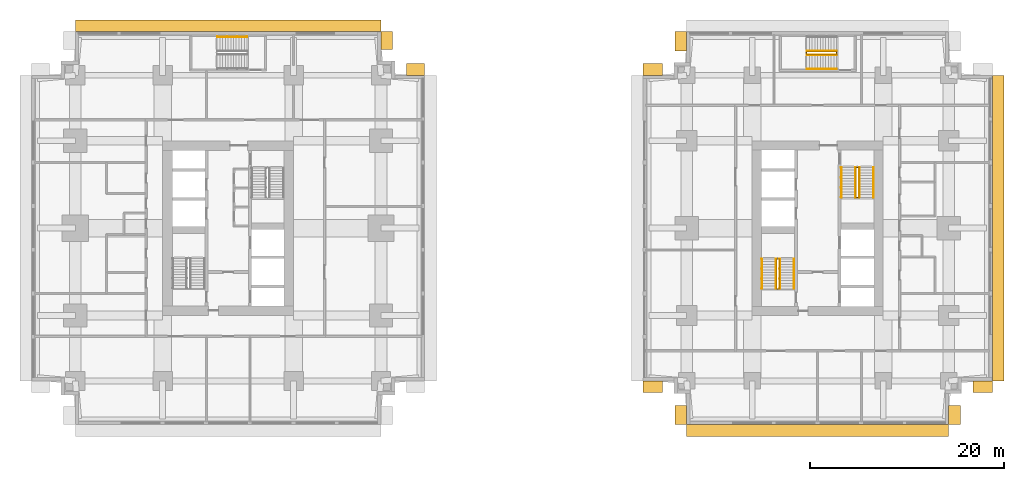
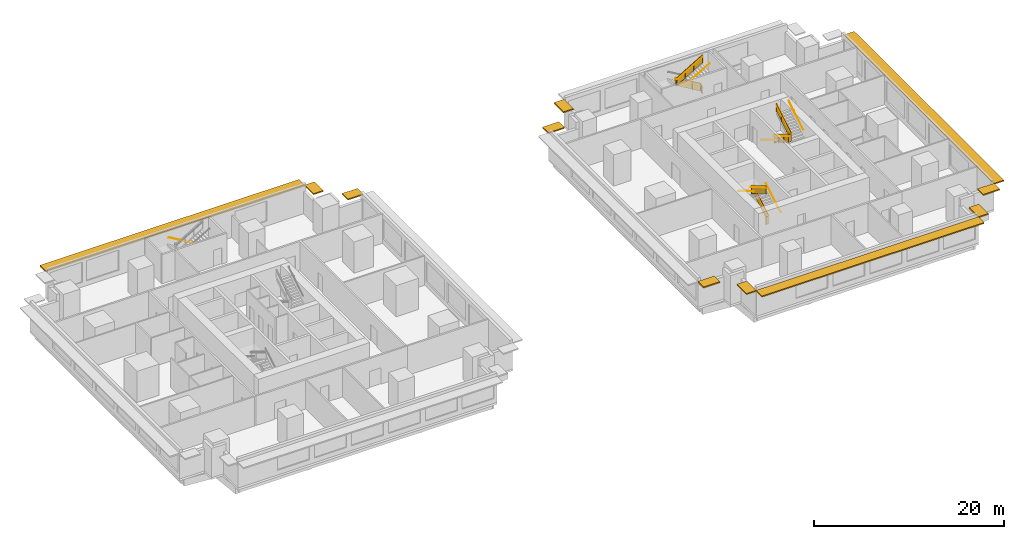
# One storey, part 10 of 11: 15 railings, 11 shading devices.
"""IFC4 building model written with IfcOpenShell, lengths in metres."""

from ifc_helpers import new_model, si_unit, direction, frame, origin, origin_2d, place, context, subcontext, project, spatial, polyline, rectangle, circle, outline, extrude, material, layer, layer_set, type_object, element, save


model = new_model("IFC4")

# Units and contexts
model_context = context("Model", 3, precision=1e-05, world=origin(), true_north=direction((0.0, 1.0)))
body_context = subcontext(model_context, "Body", "Model", "MODEL_VIEW")
ifc_project = project(units=[si_unit("LENGTHUNIT", "METRE"), si_unit("AREAUNIT", "SQUARE_METRE"), si_unit("VOLUMEUNIT", "CUBIC_METRE"), si_unit("PLANEANGLEUNIT", "RADIAN"), si_unit("MASSUNIT", "GRAM", prefix="KILO")], contexts=[model_context])

# Site, building, storey
site_placement = place(None, origin())
site = spatial("IfcSite", under=ifc_project, at=site_placement, CompositionType="ELEMENT")
building_placement = place(site_placement, origin())
building = spatial("IfcBuilding", under=site, at=building_placement, Name="Namib Vertical Campus", CompositionType="ELEMENT")
storey_placement = place(building_placement, frame((0.0, 0.0, 61.0)))
storey = spatial("IfcBuildingStorey", under=building, at=storey_placement, Name="L14", CompositionType="ELEMENT", Elevation=61.0)

# Railings
ifc_material_1 = material(Name="Steel handrail", Category="steel")
railing_type_1 = type_object("IfcRailingType", Name="Handrail 900", PredefinedType="HANDRAIL", material=ifc_material_1)
railing_1_placement = place(storey_placement, frame((78.550048828125, 14.0, 0.166748046875)))
element("IfcRailing", 1, at=railing_1_placement, inside=storey, type_object=railing_type_1, Name="Handrail HR1 B-S1 L14 1", PredefinedType="HANDRAIL", context=body_context, shape_type="SweptSolid", body=[
    extrude(circle(Radius=0.02392578125, at=origin_2d()), frame((0.0, 0.0, 0.8759765625), z_axis=(0.0, 0.859308565015, 0.511457515432), x_axis=(-1.0, 0.0, 0.0)), (0.0, 0.0, 1.0), 3.58447265625),
    extrude(circle(Radius=0.008056640625, at=origin_2d()), frame((0.0, 0.0, 0.8759765625), z_axis=(1.0, 0.0, 0.0), x_axis=(0.0, 0.0, 1.0)), (0.0, 0.0, 1.0), 0.050048828125),
    extrude(circle(Radius=0.008056640625, at=origin_2d()), frame((0.0, 1.026611328125, 1.48681640625), z_axis=(1.0, 0.0, 0.0), x_axis=(0.0, 0.0, 1.0)), (0.0, 0.0, 1.0), 0.050048828125),
    extrude(circle(Radius=0.008056640625, at=origin_2d()), frame((0.0, 2.053466796875, 2.09814453125), z_axis=(1.0, 0.0, 0.0), x_axis=(0.0, 0.0, 1.0)), (0.0, 0.0, 1.0), 0.050048828125),
    extrude(circle(Radius=0.008056640625, at=origin_2d()), frame((0.0, 3.080078125, 2.708984375), z_axis=(1.0, 0.0, 0.0), x_axis=(0.0, 0.0, 1.0)), (0.0, 0.0, 1.0), 0.050048828125),
])
railing_2_placement = place(storey_placement, frame((75.25, 17.080078125, 2.166748046875)))
element("IfcRailing", 2, at=railing_2_placement, inside=storey, type_object=railing_type_1, Name="Handrail HR1 B-S1 L14 2", PredefinedType="HANDRAIL", context=body_context, shape_type="SweptSolid", body=[
    extrude(circle(Radius=0.02392578125, at=origin_2d()), frame((0.0, 0.0, 0.8759765625), z_axis=(0.0, -0.859308565015, 0.511457515432), x_axis=(1.0, 0.0, 0.0)), (0.0, 0.0, 1.0), 3.58447265625),
    extrude(circle(Radius=0.008056640625, at=origin_2d()), frame((0.0, 0.0, 0.8759765625), z_axis=(-1.0, 0.0, 0.0), x_axis=(0.0, 0.0, 1.0)), (0.0, 0.0, 1.0), 0.050048828125),
    extrude(circle(Radius=0.008056640625, at=origin_2d()), frame((0.0, -1.026611328125, 1.48681640625), z_axis=(-1.0, 0.0, 0.0), x_axis=(0.0, 0.0, 1.0)), (0.0, 0.0, 1.0), 0.050048828125),
    extrude(circle(Radius=0.008056640625, at=origin_2d()), frame((0.0, -2.053466796875, 2.09814453125), z_axis=(-1.0, 0.0, 0.0), x_axis=(0.0, 0.0, 1.0)), (0.0, 0.0, 1.0), 0.050048828125),
    extrude(circle(Radius=0.008056640625, at=origin_2d()), frame((0.0, -3.080078125, 2.708984375), z_axis=(-1.0, 0.0, 0.0), x_axis=(0.0, 0.0, 1.0)), (0.0, 0.0, 1.0), 0.050048828125),
])
railing_3_placement = place(storey_placement, frame((77.10009765625, 14.0, 0.166748046875)))
element("IfcRailing", 3, at=railing_3_placement, inside=storey, type_object=railing_type_1, Name="Handrail HR1 B-S1 L14 1 at the well", PredefinedType="HANDRAIL", context=body_context, shape_type="SweptSolid", body=[
    extrude(circle(Radius=0.02392578125, at=origin_2d()), frame((0.0, 0.0, 0.8759765625), z_axis=(0.0, 0.859308565015, 0.511457515432), x_axis=(-1.0, 0.0, 0.0)), (0.0, 0.0, 1.0), 3.58447265625),
    extrude(circle(Radius=0.008056640625, at=origin_2d()), frame((0.0, 0.0, 0.8759765625), z_axis=(-1.0, 0.0, 0.0), x_axis=(0.0, 0.0, 1.0)), (0.0, 0.0, 1.0), 0.0400390625),
    extrude(circle(Radius=0.008056640625, at=origin_2d()), frame((0.0, 1.026611328125, 1.48681640625), z_axis=(-1.0, 0.0, 0.0), x_axis=(0.0, 0.0, 1.0)), (0.0, 0.0, 1.0), 0.0400390625),
    extrude(circle(Radius=0.008056640625, at=origin_2d()), frame((0.0, 2.053466796875, 2.09814453125), z_axis=(-1.0, 0.0, 0.0), x_axis=(0.0, 0.0, 1.0)), (0.0, 0.0, 1.0), 0.0400390625),
    extrude(circle(Radius=0.008056640625, at=origin_2d()), frame((0.0, 3.080078125, 2.708984375), z_axis=(-1.0, 0.0, 0.0), x_axis=(0.0, 0.0, 1.0)), (0.0, 0.0, 1.0), 0.0400390625),
])
railing_4_placement = place(storey_placement, frame((76.699951171875, 17.080078125, 2.166748046875)))
element("IfcRailing", 4, at=railing_4_placement, inside=storey, type_object=railing_type_1, Name="Handrail HR1 B-S1 L14 2 at the well", PredefinedType="HANDRAIL", context=body_context, shape_type="SweptSolid", body=[
    extrude(circle(Radius=0.02392578125, at=origin_2d()), frame((0.0, 0.0, 0.8759765625), z_axis=(0.0, -0.859308565015, 0.511457515432), x_axis=(1.0, 0.0, 0.0)), (0.0, 0.0, 1.0), 3.58447265625),
    extrude(circle(Radius=0.008056640625, at=origin_2d()), frame((0.0, 0.0, 0.8759765625), z_axis=(1.0, 0.0, 0.0), x_axis=(0.0, 0.0, 1.0)), (0.0, 0.0, 1.0), 0.0400390625),
    extrude(circle(Radius=0.008056640625, at=origin_2d()), frame((0.0, -1.026611328125, 1.48681640625), z_axis=(1.0, 0.0, 0.0), x_axis=(0.0, 0.0, 1.0)), (0.0, 0.0, 1.0), 0.0400390625),
    extrude(circle(Radius=0.008056640625, at=origin_2d()), frame((0.0, -2.053466796875, 2.09814453125), z_axis=(1.0, 0.0, 0.0), x_axis=(0.0, 0.0, 1.0)), (0.0, 0.0, 1.0), 0.0400390625),
    extrude(circle(Radius=0.008056640625, at=origin_2d()), frame((0.0, -3.080078125, 2.708984375), z_axis=(1.0, 0.0, 0.0), x_axis=(0.0, 0.0, 1.0)), (0.0, 0.0, 1.0), 0.0400390625),
])
railing_5_placement = place(storey_placement, frame((83.449951171875, 26.5, 0.166748046875)))
element("IfcRailing", 5, at=railing_5_placement, inside=storey, type_object=railing_type_1, Name="Handrail HR1 B-S2 L14 1", PredefinedType="HANDRAIL", context=body_context, shape_type="SweptSolid", body=[
    extrude(circle(Radius=0.02392578125, at=origin_2d()), frame((0.0, 0.0, 0.8759765625), z_axis=(0.0, -0.859308565015, 0.511457515432), x_axis=(1.0, 0.0, 0.0)), (0.0, 0.0, 1.0), 3.58447265625),
    extrude(circle(Radius=0.008056640625, at=origin_2d()), frame((0.0, 0.0, 0.8759765625), z_axis=(-1.0, 0.0, 0.0), x_axis=(0.0, 0.0, 1.0)), (0.0, 0.0, 1.0), 0.050048828125),
    extrude(circle(Radius=0.008056640625, at=origin_2d()), frame((0.0, -1.026611328125, 1.48681640625), z_axis=(-1.0, 0.0, 0.0), x_axis=(0.0, 0.0, 1.0)), (0.0, 0.0, 1.0), 0.050048828125),
    extrude(circle(Radius=0.008056640625, at=origin_2d()), frame((0.0, -2.053466796875, 2.09814453125), z_axis=(-1.0, 0.0, 0.0), x_axis=(0.0, 0.0, 1.0)), (0.0, 0.0, 1.0), 0.050048828125),
    extrude(circle(Radius=0.008056640625, at=origin_2d()), frame((0.0, -3.080078125, 2.708984375), z_axis=(-1.0, 0.0, 0.0), x_axis=(0.0, 0.0, 1.0)), (0.0, 0.0, 1.0), 0.050048828125),
])
railing_6_placement = place(storey_placement, frame((86.75, 23.419921875, 2.166748046875)))
element("IfcRailing", 6, at=railing_6_placement, inside=storey, type_object=railing_type_1, Name="Handrail HR1 B-S2 L14 2", PredefinedType="HANDRAIL", context=body_context, shape_type="SweptSolid", body=[
    extrude(circle(Radius=0.02392578125, at=origin_2d()), frame((0.0, 0.0, 0.8759765625), z_axis=(0.0, 0.859308565015, 0.511457515432), x_axis=(-1.0, 0.0, 0.0)), (0.0, 0.0, 1.0), 3.58447265625),
    extrude(circle(Radius=0.008056640625, at=origin_2d()), frame((0.0, 0.0, 0.8759765625), z_axis=(1.0, 0.0, 0.0), x_axis=(0.0, 0.0, 1.0)), (0.0, 0.0, 1.0), 0.050048828125),
    extrude(circle(Radius=0.008056640625, at=origin_2d()), frame((0.0, 1.026611328125, 1.48681640625), z_axis=(1.0, 0.0, 0.0), x_axis=(0.0, 0.0, 1.0)), (0.0, 0.0, 1.0), 0.050048828125),
    extrude(circle(Radius=0.008056640625, at=origin_2d()), frame((0.0, 2.053466796875, 2.09814453125), z_axis=(1.0, 0.0, 0.0), x_axis=(0.0, 0.0, 1.0)), (0.0, 0.0, 1.0), 0.050048828125),
    extrude(circle(Radius=0.008056640625, at=origin_2d()), frame((0.0, 3.080078125, 2.708984375), z_axis=(1.0, 0.0, 0.0), x_axis=(0.0, 0.0, 1.0)), (0.0, 0.0, 1.0), 0.050048828125),
])
railing_7_placement = place(storey_placement, frame((84.89990234375, 26.5, 0.166748046875)))
element("IfcRailing", 7, at=railing_7_placement, inside=storey, type_object=railing_type_1, Name="Handrail HR1 B-S2 L14 1 at the well", PredefinedType="HANDRAIL", context=body_context, shape_type="SweptSolid", body=[
    extrude(circle(Radius=0.02392578125, at=origin_2d()), frame((0.0, 0.0, 0.8759765625), z_axis=(0.0, -0.859308565015, 0.511457515432), x_axis=(1.0, 0.0, 0.0)), (0.0, 0.0, 1.0), 3.58447265625),
    extrude(circle(Radius=0.008056640625, at=origin_2d()), frame((0.0, 0.0, 0.8759765625), z_axis=(1.0, 0.0, 0.0), x_axis=(0.0, 0.0, 1.0)), (0.0, 0.0, 1.0), 0.0400390625),
    extrude(circle(Radius=0.008056640625, at=origin_2d()), frame((0.0, -1.026611328125, 1.48681640625), z_axis=(1.0, 0.0, 0.0), x_axis=(0.0, 0.0, 1.0)), (0.0, 0.0, 1.0), 0.0400390625),
    extrude(circle(Radius=0.008056640625, at=origin_2d()), frame((0.0, -2.053466796875, 2.09814453125), z_axis=(1.0, 0.0, 0.0), x_axis=(0.0, 0.0, 1.0)), (0.0, 0.0, 1.0), 0.0400390625),
    extrude(circle(Radius=0.008056640625, at=origin_2d()), frame((0.0, -3.080078125, 2.708984375), z_axis=(1.0, 0.0, 0.0), x_axis=(0.0, 0.0, 1.0)), (0.0, 0.0, 1.0), 0.0400390625),
])
railing_8_placement = place(storey_placement, frame((85.300048828125, 23.419921875, 2.166748046875)))
element("IfcRailing", 8, at=railing_8_placement, inside=storey, type_object=railing_type_1, Name="Handrail HR1 B-S2 L14 2 at the well", PredefinedType="HANDRAIL", context=body_context, shape_type="SweptSolid", body=[
    extrude(circle(Radius=0.02392578125, at=origin_2d()), frame((0.0, 0.0, 0.8759765625), z_axis=(0.0, 0.859308565015, 0.511457515432), x_axis=(-1.0, 0.0, 0.0)), (0.0, 0.0, 1.0), 3.58447265625),
    extrude(circle(Radius=0.008056640625, at=origin_2d()), frame((0.0, 0.0, 0.8759765625), z_axis=(-1.0, 0.0, 0.0), x_axis=(0.0, 0.0, 1.0)), (0.0, 0.0, 1.0), 0.0400390625),
    extrude(circle(Radius=0.008056640625, at=origin_2d()), frame((0.0, 1.026611328125, 1.48681640625), z_axis=(-1.0, 0.0, 0.0), x_axis=(0.0, 0.0, 1.0)), (0.0, 0.0, 1.0), 0.0400390625),
    extrude(circle(Radius=0.008056640625, at=origin_2d()), frame((0.0, 2.053466796875, 2.09814453125), z_axis=(-1.0, 0.0, 0.0), x_axis=(0.0, 0.0, 1.0)), (0.0, 0.0, 1.0), 0.0400390625),
    extrude(circle(Radius=0.008056640625, at=origin_2d()), frame((0.0, 3.080078125, 2.708984375), z_axis=(-1.0, 0.0, 0.0), x_axis=(0.0, 0.0, 1.0)), (0.0, 0.0, 1.0), 0.0400390625),
])
railing_9_placement = place(storey_placement, frame((22.199951171875, 39.949951171875, 0.166748046875)))
element("IfcRailing", 9, at=railing_9_placement, inside=storey, type_object=railing_type_1, Name="Handrail HR1 A-S3 L14 1", PredefinedType="HANDRAIL", context=body_context, shape_type="SweptSolid", body=[
    extrude(circle(Radius=0.02392578125, at=origin_2d()), frame((0.0, 0.0, 0.8759765625), z_axis=(-0.859290745958, 0.0, 0.51148745235), x_axis=(0.0, -1.0, 0.0)), (0.0, 0.0, 1.0), 3.584228515625),
    extrude(circle(Radius=0.008056640625, at=origin_2d()), frame((0.0, 0.0, 0.8759765625), z_axis=(0.0, 1.0, 0.0), x_axis=(0.0, 0.0, 1.0)), (0.0, 0.0, 1.0), 0.050048828125),
    extrude(circle(Radius=0.008056640625, at=origin_2d()), frame((-1.026611328125, 0.0, 1.48681640625), z_axis=(0.0, 1.0, 0.0), x_axis=(0.0, 0.0, 1.0)), (0.0, 0.0, 1.0), 0.050048828125),
    extrude(circle(Radius=0.008056640625, at=origin_2d()), frame((-2.05322265625, 0.0, 2.09814453125), z_axis=(0.0, 1.0, 0.0), x_axis=(0.0, 0.0, 1.0)), (0.0, 0.0, 1.0), 0.050048828125),
    extrude(circle(Radius=0.008056640625, at=origin_2d()), frame((-3.079833984375, 0.0, 2.708984375), z_axis=(0.0, 1.0, 0.0), x_axis=(0.0, 0.0, 1.0)), (0.0, 0.0, 1.0), 0.050048828125),
])
railing_10_placement = place(storey_placement, frame((79.8701171875, 36.64990234375, 2.166748046875)))
element("IfcRailing", 10, at=railing_10_placement, inside=storey, type_object=railing_type_1, Name="Handrail HR1 B-S3 L14 2", PredefinedType="HANDRAIL", context=body_context, shape_type="SweptSolid", body=[
    extrude(circle(Radius=0.02392578125, at=origin_2d()), frame((0.0, 0.0, 0.8759765625), z_axis=(0.859290745958, 0.0, 0.51148745235), x_axis=(0.0, 1.0, 0.0)), (0.0, 0.0, 1.0), 3.584228515625),
    extrude(circle(Radius=0.008056640625, at=origin_2d()), frame((0.0, 0.0, 0.8759765625), z_axis=(0.0, -1.0, 0.0), x_axis=(0.0, 0.0, 1.0)), (0.0, 0.0, 1.0), 0.050048828125),
    extrude(circle(Radius=0.008056640625, at=origin_2d()), frame((1.026611328125, 0.0, 1.48681640625), z_axis=(0.0, -1.0, 0.0), x_axis=(0.0, 0.0, 1.0)), (0.0, 0.0, 1.0), 0.050048828125),
    extrude(circle(Radius=0.008056640625, at=origin_2d()), frame((2.05322265625, 0.0, 2.09814453125), z_axis=(0.0, -1.0, 0.0), x_axis=(0.0, 0.0, 1.0)), (0.0, 0.0, 1.0), 0.050048828125),
    extrude(circle(Radius=0.008056640625, at=origin_2d()), frame((3.079833984375, 0.0, 2.708984375), z_axis=(0.0, -1.0, 0.0), x_axis=(0.0, 0.0, 1.0)), (0.0, 0.0, 1.0), 0.050048828125),
])
railing_11_placement = place(storey_placement, frame((82.949951171875, 38.5, 0.166748046875)))
element("IfcRailing", 11, at=railing_11_placement, inside=storey, type_object=railing_type_1, Name="Handrail HR1 B-S3 L14 1 at the well", PredefinedType="HANDRAIL", context=body_context, shape_type="SweptSolid", body=[
    extrude(circle(Radius=0.02392578125, at=origin_2d()), frame((0.0, 0.0, 0.8759765625), z_axis=(-0.859290745958, 0.0, 0.51148745235), x_axis=(0.0, -1.0, 0.0)), (0.0, 0.0, 1.0), 3.584228515625),
    extrude(circle(Radius=0.008056640625, at=origin_2d()), frame((0.0, 0.0, 0.8759765625), z_axis=(0.0, -1.0, 0.0), x_axis=(0.0, 0.0, 1.0)), (0.0, 0.0, 1.0), 0.0400390625),
    extrude(circle(Radius=0.008056640625, at=origin_2d()), frame((-1.026611328125, 0.0, 1.48681640625), z_axis=(0.0, -1.0, 0.0), x_axis=(0.0, 0.0, 1.0)), (0.0, 0.0, 1.0), 0.0400390625),
    extrude(circle(Radius=0.008056640625, at=origin_2d()), frame((-2.05322265625, 0.0, 2.09814453125), z_axis=(0.0, -1.0, 0.0), x_axis=(0.0, 0.0, 1.0)), (0.0, 0.0, 1.0), 0.0400390625),
    extrude(circle(Radius=0.008056640625, at=origin_2d()), frame((-3.079833984375, 0.0, 2.708984375), z_axis=(0.0, -1.0, 0.0), x_axis=(0.0, 0.0, 1.0)), (0.0, 0.0, 1.0), 0.0400390625),
])
railing_12_placement = place(storey_placement, frame((79.8701171875, 38.10009765625, 2.166748046875)))
element("IfcRailing", 12, at=railing_12_placement, inside=storey, type_object=railing_type_1, Name="Handrail HR1 B-S3 L14 2 at the well", PredefinedType="HANDRAIL", context=body_context, shape_type="SweptSolid", body=[
    extrude(circle(Radius=0.02392578125, at=origin_2d()), frame((0.0, 0.0, 0.8759765625), z_axis=(0.859290745958, 0.0, 0.51148745235), x_axis=(0.0, 1.0, 0.0)), (0.0, 0.0, 1.0), 3.584228515625),
    extrude(circle(Radius=0.008056640625, at=origin_2d()), frame((0.0, 0.0, 0.8759765625), z_axis=(0.0, 1.0, 0.0), x_axis=(0.0, 0.0, 1.0)), (0.0, 0.0, 1.0), 0.0400390625),
    extrude(circle(Radius=0.008056640625, at=origin_2d()), frame((1.026611328125, 0.0, 1.48681640625), z_axis=(0.0, 1.0, 0.0), x_axis=(0.0, 0.0, 1.0)), (0.0, 0.0, 1.0), 0.0400390625),
    extrude(circle(Radius=0.008056640625, at=origin_2d()), frame((2.05322265625, 0.0, 2.09814453125), z_axis=(0.0, 1.0, 0.0), x_axis=(0.0, 0.0, 1.0)), (0.0, 0.0, 1.0), 0.0400390625),
    extrude(circle(Radius=0.008056640625, at=origin_2d()), frame((3.079833984375, 0.0, 2.708984375), z_axis=(0.0, 1.0, 0.0), x_axis=(0.0, 0.0, 1.0)), (0.0, 0.0, 1.0), 0.0400390625),
])
ifc_material_2 = material(Name="Steel balustrade", Category="steel")
railing_type_2 = type_object("IfcRailingType", Name="Stair guard 1100", PredefinedType="GUARDRAIL", material=ifc_material_2)
railing_13_placement = place(storey_placement, frame((76.75, 14.0, 0.0)))
element("IfcRailing", 13, at=railing_13_placement, inside=storey, type_object=railing_type_2, Name="Stair guard GR1 B-S1 L14", PredefinedType="GUARDRAIL", context=body_context, shape_type="SweptSolid", body=[
    extrude(circle(Radius=0.02392578125, at=origin_2d()), frame((0.0, 0.0, 1.076171875), z_axis=(1.0, 0.0, 0.0), x_axis=(0.0, 1.0, 0.0)), (0.0, 0.0, 1.0), 0.300048828125),
    extrude(outline(polyline([(0.02099609375, 0.050048828125), (0.279052734375, 0.050048828125), (0.279052734375, 1.052001953125), (0.02099609375, 1.052001953125), (0.02099609375, 0.050048828125)])), frame((0.0, 0.010009765625, 0.0), z_axis=(0.0, -1.0, 0.0), x_axis=(1.0, 0.0, 0.0)), (0.0, 0.0, 1.0), 0.02001953125),
    extrude(circle(Radius=0.02392578125, at=origin_2d()), frame((0.300048828125, 0.0, 1.076171875), z_axis=(0.0, 0.0, 1.0), x_axis=(1.0, 0.0, 0.0)), (0.0, 0.0, 1.0), 0.166748046875),
    extrude(circle(Radius=0.02392578125, at=origin_2d()), frame((0.300048828125, 0.0, 1.24267578125), z_axis=(0.0, 0.859308565015, 0.511457515432), x_axis=(-1.0, 0.0, 0.0)), (0.0, 0.0, 1.0), 3.58447265625),
    extrude(outline(polyline([(0.02099609375, 0.0625), (3.05908203125, 1.870849609375), (3.05908203125, 2.872802734375), (0.02099609375, 1.064453125), (0.02099609375, 0.0625)])), frame((0.2900390625, 0.0, 0.166748046875), z_axis=(1.0, 0.0, 0.0), x_axis=(0.0, 1.0, 0.0)), (0.0, 0.0, 1.0), 0.02001953125),
    extrude(circle(Radius=0.02392578125, at=origin_2d()), frame((0.300048828125, 3.080078125, 3.076171875), z_axis=(-1.0, 0.0, 0.0), x_axis=(0.0, -1.0, 0.0)), (0.0, 0.0, 1.0), 0.300048828125),
    extrude(outline(polyline([(0.02099609375, 0.050048828125), (0.279052734375, 0.050048828125), (0.279052734375, 1.052001953125), (0.02099609375, 1.052001953125), (0.02099609375, 0.050048828125)])), frame((0.300048828125, 3.070068359375, 2.0), z_axis=(0.0, 1.0, 0.0), x_axis=(-1.0, 0.0, 0.0)), (0.0, 0.0, 1.0), 0.02001953125),
    extrude(circle(Radius=0.02392578125, at=origin_2d()), frame((0.0, 3.080078125, 3.076171875), z_axis=(0.0, 0.0, 1.0), x_axis=(1.0, 0.0, 0.0)), (0.0, 0.0, 1.0), 0.166748046875),
    extrude(circle(Radius=0.02392578125, at=origin_2d()), frame((0.0, 3.080078125, 3.24267578125), z_axis=(0.0, -0.859308565015, 0.511457515432), x_axis=(1.0, 0.0, 0.0)), (0.0, 0.0, 1.0), 3.58447265625),
    extrude(outline(polyline([(0.02099609375, 0.0625), (3.05908203125, 1.870849609375), (3.05908203125, 2.872802734375), (0.02099609375, 1.064453125), (0.02099609375, 0.0625)])), frame((0.010009765625, 3.080078125, 2.166748046875), z_axis=(-1.0, 0.0, 0.0), x_axis=(0.0, -1.0, 0.0)), (0.0, 0.0, 1.0), 0.02001953125),
    extrude(circle(Radius=0.02392578125, at=origin_2d()), frame((0.0, 0.0, 5.076171875), z_axis=(0.0, -1.0, 0.0), x_axis=(1.0, 0.0, 0.0)), (0.0, 0.0, 1.0), 0.050048828125),
    extrude(outline(polyline([(0.02099609375, 0.050048828125), (0.029052734375, 0.050048828125), (0.029052734375, 1.052001953125), (0.02099609375, 1.052001953125), (0.02099609375, 0.050048828125)])), frame((0.010009765625, 0.0, 4.0), z_axis=(-1.0, 0.0, 0.0), x_axis=(0.0, -1.0, 0.0)), (0.0, 0.0, 1.0), 0.02001953125),
    extrude(circle(Radius=0.02099609375, at=origin_2d()), origin(), (0.0, 0.0, 1.0), 1.052001953125),
    extrude(circle(Radius=0.02099609375, at=origin_2d()), frame((0.300048828125, 0.0, 0.166748046875)), (0.0, 0.0, 1.0), 1.052001953125),
    extrude(circle(Radius=0.02099609375, at=origin_2d()), frame((0.300048828125, 1.026611328125, 0.666748046875)), (0.0, 0.0, 1.0), 1.1630859375),
    extrude(circle(Radius=0.02099609375, at=origin_2d()), frame((0.300048828125, 2.053466796875, 1.33349609375)), (0.0, 0.0, 1.0), 1.107421875),
    extrude(circle(Radius=0.02099609375, at=origin_2d()), frame((0.300048828125, 3.080078125, 2.0)), (0.0, 0.0, 1.0), 1.052001953125),
    extrude(circle(Radius=0.02099609375, at=origin_2d()), frame((0.0, 3.080078125, 2.166748046875)), (0.0, 0.0, 1.0), 1.052001953125),
    extrude(circle(Radius=0.02099609375, at=origin_2d()), frame((0.0, 2.053466796875, 2.666748046875)), (0.0, 0.0, 1.0), 1.1630859375),
    extrude(circle(Radius=0.02099609375, at=origin_2d()), frame((0.0, 1.026611328125, 3.33349609375)), (0.0, 0.0, 1.0), 1.107421875),
    extrude(circle(Radius=0.02099609375, at=origin_2d()), frame((0.0, 0.0, 4.0)), (0.0, 0.0, 1.0), 1.052001953125),
    extrude(circle(Radius=0.02099609375, at=origin_2d()), frame((0.0, -0.050048828125, 4.0)), (0.0, 0.0, 1.0), 1.052001953125),
])
railing_14_placement = place(storey_placement, frame((85.25, 26.5, 0.0)))
element("IfcRailing", 14, at=railing_14_placement, inside=storey, type_object=railing_type_2, Name="Stair guard GR1 B-S2 L14", PredefinedType="GUARDRAIL", context=body_context, shape_type="SweptSolid", body=[
    extrude(circle(Radius=0.02392578125, at=origin_2d()), frame((0.0, 0.0, 1.076171875), z_axis=(-1.0, 0.0, 0.0), x_axis=(0.0, -1.0, 0.0)), (0.0, 0.0, 1.0), 0.300048828125),
    extrude(outline(polyline([(0.02099609375, 0.050048828125), (0.279052734375, 0.050048828125), (0.279052734375, 1.052001953125), (0.02099609375, 1.052001953125), (0.02099609375, 0.050048828125)])), frame((0.0, -0.010009765625, 0.0), z_axis=(0.0, 1.0, 0.0), x_axis=(-1.0, 0.0, 0.0)), (0.0, 0.0, 1.0), 0.02001953125),
    extrude(circle(Radius=0.02392578125, at=origin_2d()), frame((-0.300048828125, 0.0, 1.076171875), z_axis=(0.0, 0.0, 1.0), x_axis=(1.0, 0.0, 0.0)), (0.0, 0.0, 1.0), 0.166748046875),
    extrude(circle(Radius=0.02392578125, at=origin_2d()), frame((-0.300048828125, 0.0, 1.24267578125), z_axis=(0.0, -0.859308565015, 0.511457515432), x_axis=(1.0, 0.0, 0.0)), (0.0, 0.0, 1.0), 3.58447265625),
    extrude(outline(polyline([(0.02099609375, 0.0625), (3.05908203125, 1.870849609375), (3.05908203125, 2.872802734375), (0.02099609375, 1.064453125), (0.02099609375, 0.0625)])), frame((-0.2900390625, 0.0, 0.166748046875), z_axis=(-1.0, 0.0, 0.0), x_axis=(0.0, -1.0, 0.0)), (0.0, 0.0, 1.0), 0.02001953125),
    extrude(circle(Radius=0.02392578125, at=origin_2d()), frame((-0.300048828125, -3.080078125, 3.076171875), z_axis=(1.0, 0.0, 0.0), x_axis=(0.0, 1.0, 0.0)), (0.0, 0.0, 1.0), 0.300048828125),
    extrude(outline(polyline([(0.02099609375, 0.050048828125), (0.279052734375, 0.050048828125), (0.279052734375, 1.052001953125), (0.02099609375, 1.052001953125), (0.02099609375, 0.050048828125)])), frame((-0.300048828125, -3.070068359375, 2.0), z_axis=(0.0, -1.0, 0.0), x_axis=(1.0, 0.0, 0.0)), (0.0, 0.0, 1.0), 0.02001953125),
    extrude(circle(Radius=0.02392578125, at=origin_2d()), frame((0.0, -3.080078125, 3.076171875), z_axis=(0.0, 0.0, 1.0), x_axis=(1.0, 0.0, 0.0)), (0.0, 0.0, 1.0), 0.166748046875),
    extrude(circle(Radius=0.02392578125, at=origin_2d()), frame((0.0, -3.080078125, 3.24267578125), z_axis=(0.0, 0.859308565015, 0.511457515432), x_axis=(-1.0, 0.0, 0.0)), (0.0, 0.0, 1.0), 3.58447265625),
    extrude(outline(polyline([(0.02099609375, 0.0625), (3.05908203125, 1.870849609375), (3.05908203125, 2.872802734375), (0.02099609375, 1.064453125), (0.02099609375, 0.0625)])), frame((-0.010009765625, -3.080078125, 2.166748046875), z_axis=(1.0, 0.0, 0.0), x_axis=(0.0, 1.0, 0.0)), (0.0, 0.0, 1.0), 0.02001953125),
    extrude(circle(Radius=0.02392578125, at=origin_2d()), frame((0.0, 0.0, 5.076171875), z_axis=(0.0, 1.0, 0.0), x_axis=(-1.0, 0.0, 0.0)), (0.0, 0.0, 1.0), 0.050048828125),
    extrude(outline(polyline([(0.02099609375, 0.050048828125), (0.029052734375, 0.050048828125), (0.029052734375, 1.052001953125), (0.02099609375, 1.052001953125), (0.02099609375, 0.050048828125)])), frame((-0.010009765625, 0.0, 4.0), z_axis=(1.0, 0.0, 0.0), x_axis=(0.0, 1.0, 0.0)), (0.0, 0.0, 1.0), 0.02001953125),
    extrude(circle(Radius=0.02099609375, at=origin_2d()), origin(), (0.0, 0.0, 1.0), 1.052001953125),
    extrude(circle(Radius=0.02099609375, at=origin_2d()), frame((-0.300048828125, 0.0, 0.166748046875)), (0.0, 0.0, 1.0), 1.052001953125),
    extrude(circle(Radius=0.02099609375, at=origin_2d()), frame((-0.300048828125, -1.026611328125, 0.666748046875)), (0.0, 0.0, 1.0), 1.1630859375),
    extrude(circle(Radius=0.02099609375, at=origin_2d()), frame((-0.300048828125, -2.053466796875, 1.33349609375)), (0.0, 0.0, 1.0), 1.107421875),
    extrude(circle(Radius=0.02099609375, at=origin_2d()), frame((-0.300048828125, -3.080078125, 2.0)), (0.0, 0.0, 1.0), 1.052001953125),
    extrude(circle(Radius=0.02099609375, at=origin_2d()), frame((0.0, -3.080078125, 2.166748046875)), (0.0, 0.0, 1.0), 1.052001953125),
    extrude(circle(Radius=0.02099609375, at=origin_2d()), frame((0.0, -2.053466796875, 2.666748046875)), (0.0, 0.0, 1.0), 1.1630859375),
    extrude(circle(Radius=0.02099609375, at=origin_2d()), frame((0.0, -1.026611328125, 3.33349609375)), (0.0, 0.0, 1.0), 1.107421875),
    extrude(circle(Radius=0.02099609375, at=origin_2d()), frame((0.0, 0.0, 4.0)), (0.0, 0.0, 1.0), 1.052001953125),
    extrude(circle(Radius=0.02099609375, at=origin_2d()), frame((0.0, 0.050048828125, 4.0)), (0.0, 0.0, 1.0), 1.052001953125),
])
railing_15_placement = place(storey_placement, frame((82.949951171875, 38.14990234375, 0.0)))
element("IfcRailing", 15, at=railing_15_placement, inside=storey, type_object=railing_type_2, Name="Stair guard GR1 B-S3 L14", PredefinedType="GUARDRAIL", context=body_context, shape_type="SweptSolid", body=[
    extrude(circle(Radius=0.02392578125, at=origin_2d()), frame((0.0, 0.0, 1.076171875), z_axis=(0.0, 1.0, 0.0), x_axis=(-1.0, 0.0, 0.0)), (0.0, 0.0, 1.0), 0.300048828125),
    extrude(outline(polyline([(0.02099609375, 0.050048828125), (0.279052734375, 0.050048828125), (0.279052734375, 1.052001953125), (0.02099609375, 1.052001953125), (0.02099609375, 0.050048828125)])), frame((-0.010009765625, 0.0, 0.0), z_axis=(1.0, 0.0, 0.0), x_axis=(0.0, 1.0, 0.0)), (0.0, 0.0, 1.0), 0.02001953125),
    extrude(circle(Radius=0.02392578125, at=origin_2d()), frame((0.0, 0.300048828125, 1.076171875), z_axis=(0.0, 0.0, 1.0), x_axis=(1.0, 0.0, 0.0)), (0.0, 0.0, 1.0), 0.166748046875),
    extrude(circle(Radius=0.02392578125, at=origin_2d()), frame((0.0, 0.300048828125, 1.24267578125), z_axis=(-0.859290745958, 0.0, 0.51148745235), x_axis=(0.0, -1.0, 0.0)), (0.0, 0.0, 1.0), 3.584228515625),
    extrude(outline(polyline([(0.02099609375, 0.0625), (3.058837890625, 1.870849609375), (3.058837890625, 2.872802734375), (0.02099609375, 1.064453125), (0.02099609375, 0.0625)])), frame((0.0, 0.2900390625, 0.166748046875), z_axis=(0.0, 1.0, 0.0), x_axis=(-1.0, 0.0, 0.0)), (0.0, 0.0, 1.0), 0.02001953125),
    extrude(circle(Radius=0.02392578125, at=origin_2d()), frame((-3.079833984375, 0.300048828125, 3.076171875), z_axis=(0.0, -1.0, 0.0), x_axis=(1.0, 0.0, 0.0)), (0.0, 0.0, 1.0), 0.300048828125),
    extrude(outline(polyline([(0.02099609375, 0.050048828125), (0.279052734375, 0.050048828125), (0.279052734375, 1.052001953125), (0.02099609375, 1.052001953125), (0.02099609375, 0.050048828125)])), frame((-3.06982421875, 0.300048828125, 2.0), z_axis=(-1.0, 0.0, 0.0), x_axis=(0.0, -1.0, 0.0)), (0.0, 0.0, 1.0), 0.02001953125),
    extrude(circle(Radius=0.02392578125, at=origin_2d()), frame((-3.079833984375, 0.0, 3.076171875), z_axis=(0.0, 0.0, 1.0), x_axis=(1.0, 0.0, 0.0)), (0.0, 0.0, 1.0), 0.166748046875),
    extrude(circle(Radius=0.02392578125, at=origin_2d()), frame((-3.079833984375, 0.0, 3.24267578125), z_axis=(0.859290745958, 0.0, 0.51148745235), x_axis=(0.0, 1.0, 0.0)), (0.0, 0.0, 1.0), 3.584228515625),
    extrude(outline(polyline([(0.02099609375, 0.0625), (3.058837890625, 1.870849609375), (3.058837890625, 2.872802734375), (0.02099609375, 1.064453125), (0.02099609375, 0.0625)])), frame((-3.079833984375, 0.010009765625, 2.166748046875), z_axis=(0.0, -1.0, 0.0), x_axis=(1.0, 0.0, 0.0)), (0.0, 0.0, 1.0), 0.02001953125),
    extrude(circle(Radius=0.02392578125, at=origin_2d()), frame((0.0, 0.0, 5.076171875), z_axis=(1.0, 0.0, 0.0), x_axis=(0.0, 1.0, 0.0)), (0.0, 0.0, 1.0), 0.050048828125),
    extrude(outline(polyline([(0.02099609375, 0.050048828125), (0.029052734375, 0.050048828125), (0.029052734375, 1.052001953125), (0.02099609375, 1.052001953125), (0.02099609375, 0.050048828125)])), frame((0.0, 0.010009765625, 4.0), z_axis=(0.0, -1.0, 0.0), x_axis=(1.0, 0.0, 0.0)), (0.0, 0.0, 1.0), 0.02001953125),
    extrude(circle(Radius=0.02099609375, at=origin_2d()), origin(), (0.0, 0.0, 1.0), 1.052001953125),
    extrude(circle(Radius=0.02099609375, at=origin_2d()), frame((0.0, 0.300048828125, 0.166748046875)), (0.0, 0.0, 1.0), 1.052001953125),
    extrude(circle(Radius=0.02099609375, at=origin_2d()), frame((-1.026611328125, 0.300048828125, 0.666748046875)), (0.0, 0.0, 1.0), 1.1630859375),
    extrude(circle(Radius=0.02099609375, at=origin_2d()), frame((-2.05322265625, 0.300048828125, 1.33349609375)), (0.0, 0.0, 1.0), 1.107421875),
    extrude(circle(Radius=0.02099609375, at=origin_2d()), frame((-3.079833984375, 0.300048828125, 2.0)), (0.0, 0.0, 1.0), 1.052001953125),
    extrude(circle(Radius=0.02099609375, at=origin_2d()), frame((-3.079833984375, 0.0, 2.166748046875)), (0.0, 0.0, 1.0), 1.052001953125),
    extrude(circle(Radius=0.02099609375, at=origin_2d()), frame((-2.05322265625, 0.0, 2.666748046875)), (0.0, 0.0, 1.0), 1.1630859375),
    extrude(circle(Radius=0.02099609375, at=origin_2d()), frame((-1.026611328125, 0.0, 3.33349609375)), (0.0, 0.0, 1.0), 1.107421875),
    extrude(circle(Radius=0.02099609375, at=origin_2d()), frame((0.0, 0.0, 4.0)), (0.0, 0.0, 1.0), 1.052001953125),
    extrude(circle(Radius=0.02099609375, at=origin_2d()), frame((0.050048828125, 0.0, 4.0)), (0.0, 0.0, 1.0), 1.052001953125),
])

# Shading devices
ifc_material_3 = material(Name="Concrete C40/50 precast", Category="concrete")
ifc_layer = layer(ifc_material_3, 0.14990234375)
ifc_layer_set = layer_set([ifc_layer], Name="Concrete C40/50 precast")
shading_device_type = type_object("IfcShadingDeviceType", Name="Sunshade hood 1200", PredefinedType="SHUTTER", material=ifc_layer_set)
for number, where, z_axis, x_axis, name in (
    (16, (39.574951171875, 36.60009765625, 3.199951171875), (0.0, 0.0, 1.0), (-1.0, 0.0, 0.0), "Sunshade SH2 L14 7"),
    (17, (36.60009765625, 39.574951171875, 3.199951171875), (0.0, 0.0, 1.0), (0.0, 1.0, 0.0), "Sunshade SH2 L14 10"),
):
    element("IfcShadingDevice", number, at=place(storey_placement, frame(where, z_axis=z_axis, x_axis=x_axis)), inside=storey, type_object=shading_device_type, Name=name, PredefinedType="SHUTTER", context=body_context, shape_type="SweptSolid", body=[
        extrude(rectangle(XDim=1.85009765625, YDim=1.199951171875, at=origin_2d()), origin(), (0.0, 0.0, 1.0), 0.14990234375),
    ])
shading_device_1_placement = place(storey_placement, frame((20.25, 41.10009765625, 3.199951171875), z_axis=(0.0, 0.0, 1.0), x_axis=(-1.0, 0.0, 0.0)))
element("IfcShadingDevice", 18, at=shading_device_1_placement, inside=storey, type_object=shading_device_type, Name="Sunshade SH2 L14 11", PredefinedType="SHUTTER", context=body_context, shape_type="SweptSolid", body=[
    extrude(rectangle(XDim=31.5, YDim=1.199951171875, at=origin_2d()), origin(), (0.0, 0.0, 1.0), 0.14990234375),
])
shading_device_2_placement = place(storey_placement, frame((81.0, -0.60009765625, 3.199951171875), z_axis=(0.0, 0.0, 1.0), x_axis=(1.0, 0.0, 0.0)))
element("IfcShadingDevice", 19, at=shading_device_2_placement, inside=storey, type_object=shading_device_type, Name="Sunshade SH2 L14 1", PredefinedType="SHUTTER", context=body_context, shape_type="SweptSolid", body=[
    extrude(rectangle(XDim=27.0, YDim=1.199951171875, at=origin_2d()), origin(), (0.0, 0.0, 1.0), 0.14990234375),
])
for number, where, z_axis, x_axis, name in (
    (20, (95.10009765625, 1.0, 3.199951171875), (0.0, 0.0, 1.0), (0.0, 1.0, 0.0), "Sunshade SH2 L14 2"),
    (21, (98.0, 3.89990234375, 3.199951171875), (0.0, 0.0, 1.0), (1.0, 0.0, 0.0), "Sunshade SH2 L14 5"),
):
    element("IfcShadingDevice", number, at=place(storey_placement, frame(where, z_axis=z_axis, x_axis=x_axis)), inside=storey, type_object=shading_device_type, Name=name, PredefinedType="SHUTTER", context=body_context, shape_type="SweptSolid", body=[
        extrude(rectangle(XDim=2.0, YDim=1.199951171875, at=origin_2d()), origin(), (0.0, 0.0, 1.0), 0.14990234375),
    ])
shading_device_3_placement = place(storey_placement, frame((99.60009765625, 20.25, 3.199951171875), z_axis=(0.0, 0.0, 1.0), x_axis=(0.0, 1.0, 0.0)))
element("IfcShadingDevice", 22, at=shading_device_3_placement, inside=storey, type_object=shading_device_type, Name="Sunshade SH2 L14 6", PredefinedType="SHUTTER", context=body_context, shape_type="SweptSolid", body=[
    extrude(rectangle(XDim=31.5, YDim=1.199951171875, at=origin_2d()), origin(), (0.0, 0.0, 1.0), 0.14990234375),
])
for number, where, z_axis, x_axis, name in (
    (23, (66.89990234375, 39.5, 3.199951171875), (0.0, 0.0, 1.0), (0.0, -1.0, 0.0), "Sunshade SH2 L14 12"),
    (24, (64.0, 36.60009765625, 3.199951171875), (0.0, 0.0, 1.0), (-1.0, 0.0, 0.0), "Sunshade SH2 L14 15"),
    (25, (64.0, 3.89990234375, 3.199951171875), (0.0, 0.0, 1.0), (1.0, 0.0, 0.0), "Sunshade SH2 L14 17"),
    (26, (66.89990234375, 1.0, 3.199951171875), (0.0, 0.0, 1.0), (0.0, -1.0, 0.0), "Sunshade SH2 L14 20"),
):
    element("IfcShadingDevice", number, at=place(storey_placement, frame(where, z_axis=z_axis, x_axis=x_axis)), inside=storey, type_object=shading_device_type, Name=name, PredefinedType="SHUTTER", context=body_context, shape_type="SweptSolid", body=[
        extrude(rectangle(XDim=2.0, YDim=1.199951171875, at=origin_2d()), origin(), (0.0, 0.0, 1.0), 0.14990234375),
    ])

save(model, "model.ifc")
